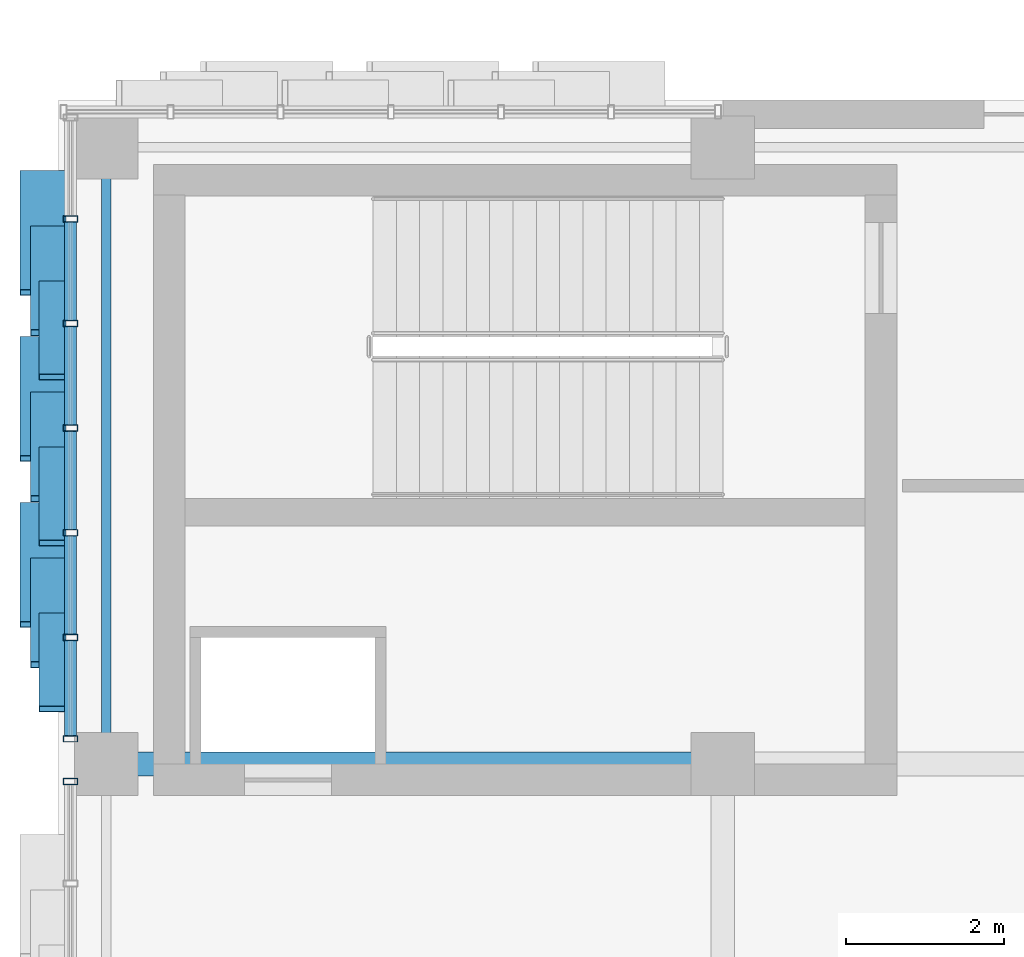
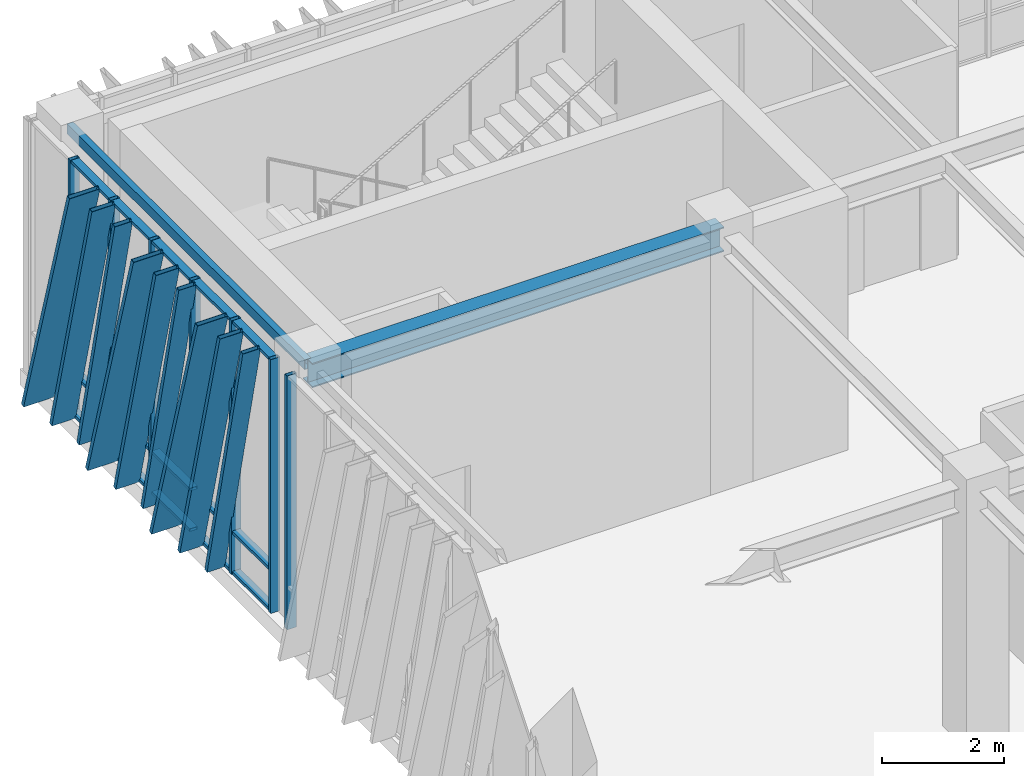
# One storey, part 41 of 122: 31 members, 2 beams, 2 elements without a shape of their own.
"""IFC4 building model written with IfcOpenShell, lengths in metres."""

from ifc_helpers import new_model, si_unit, direction, frame, origin, origin_2d, place, context, subcontext, project, spatial, hollow_rectangle, i_section, extrude, material, layer, layer_set, material_profile, profile_set, type_object, element, aggregate, save


model = new_model("IFC4")

# Units and contexts
model_context = context("Model", 3, precision=1e-05, world=origin(), true_north=direction((0.0, 1.0)))
body_context = subcontext(model_context, "Body", "Model", "MODEL_VIEW")
ifc_project = project(units=[si_unit("LENGTHUNIT", "METRE"), si_unit("AREAUNIT", "SQUARE_METRE"), si_unit("VOLUMEUNIT", "CUBIC_METRE"), si_unit("PLANEANGLEUNIT", "RADIAN"), si_unit("MASSUNIT", "GRAM", prefix="KILO")], contexts=[model_context])

# Site, building, storey
site_placement = place(None, origin())
site = spatial("IfcSite", under=ifc_project, at=site_placement, CompositionType="ELEMENT")
building_placement = place(site_placement, origin())
building = spatial("IfcBuilding", under=site, at=building_placement, Name="Zayran Congress Hotel", CompositionType="ELEMENT")
storey_placement = place(building_placement, origin())
storey = spatial("IfcBuildingStorey", under=building, at=storey_placement, Name="L00", CompositionType="ELEMENT", Elevation=0.0)

# Beams
ifc_material_1 = material(Name="Steel S355", Category="steel")
ifc_material_profile_1 = material_profile(ifc_material_1, i_section(OverallWidth=0.300048828125, OverallDepth=0.489990234375, WebThickness=0.011962890625, FlangeThickness=0.02294921875, at=origin_2d()), Name="HEA 500")
ifc_profile_set_1 = profile_set([ifc_material_profile_1], Name="Steel S355")
beam_type_1 = type_object("IfcBeamType", Name="TP-BM-05", PredefinedType="BEAM", material=ifc_profile_set_1)
beam_1_placement = place(storey_placement, frame((9.0, 109.60009765625, 4.8349609375), z_axis=(1.0, 0.0, 0.0), x_axis=(0.0, 1.0, 0.0)))
element("IfcBeam", 1, at=beam_1_placement, inside=storey, type_object=beam_type_1, Name="BM-V1-L00-0425", PredefinedType="BEAM", context=body_context, shape_type="SweptSolid", body=[
    extrude(i_section(OverallWidth=0.300048828125, OverallDepth=0.489990234375, WebThickness=0.011962890625, FlangeThickness=0.02294921875, at=origin_2d()), origin(), (0.0, 0.0, 1.0), 7.800048828125),
])
ifc_material_profile_2 = material_profile(ifc_material_1, hollow_rectangle(XDim=0.1201171875, YDim=0.199951171875, WallThickness=0.008056640625, at=origin_2d()), Name="RHS 200x120x8")
ifc_profile_set_2 = profile_set([ifc_material_profile_2], Name="Steel S355")
beam_type_2 = type_object("IfcBeamType", Name="TP-SP-02", PredefinedType="SPANDREL", material=ifc_profile_set_2)
beam_2_placement = place(storey_placement, frame((9.0, 109.60009765625, 4.97998046875), z_axis=(0.0, 1.0, 0.0), x_axis=(-1.0, 0.0, 0.0)))
element("IfcBeam", 2, at=beam_2_placement, inside=storey, type_object=beam_type_2, Name="BM-V1-L00-0450", PredefinedType="SPANDREL", context=body_context, shape_type="SweptSolid", body=[
    extrude(hollow_rectangle(XDim=0.1201171875, YDim=0.199951171875, WallThickness=0.008056640625, at=origin_2d()), origin(), (0.0, 0.0, 1.0), 7.7998046875),
])

# Curtain wall, member
ifc_material_2 = material(Name="Anodised aluminium and low-E insulated glass", Category="aluminium")
ifc_layer_1 = layer(ifc_material_2, 0.179931640625)
ifc_layer_set_1 = layer_set([ifc_layer_1], Name="Anodised aluminium and low-E insulated glass")
curtain_wall_type_1 = type_object("IfcCurtainWallType", Name="CW-V1W-L00-CW-31-7990-5080", PredefinedType="USERDEFINED", material=ifc_layer_set_1)
curtain_wall_1_placement = place(storey_placement, origin())
curtain_wall_1 = element("IfcCurtainWall", 3, at=curtain_wall_1_placement, inside=storey, type_object=curtain_wall_type_1, Name="CW-V1W-L00-4", ObjectType="CURTAIN WALL", PredefinedType="USERDEFINED")
ifc_material_3 = material(Name="Anodised aluminium framing", Category="aluminium")
ifc_material_profile_3 = material_profile(ifc_material_3, hollow_rectangle(XDim=0.080078125, YDim=0.179931640625, WallThickness=0.0048828125, at=origin_2d()), Name="RHS 180x80x5")
ifc_profile_set_3 = profile_set([ifc_material_profile_3], Name="Anodised aluminium framing")
member_type_1 = type_object("IfcMemberType", Name="TP-CWM-01", PredefinedType="MULLION", material=ifc_profile_set_3)
member_1_placement = place(storey_placement, frame((8.550048828125, 109.3798828125, 0.0), z_axis=(0.0, 0.0, 1.0), x_axis=(0.0, 1.0, 0.0)))
member_1 = element("IfcMember", 4, at=member_1_placement, type_object=member_type_1, Name="CW-V1W-L00-4-M00", PredefinedType="MULLION", context=body_context, shape_type="SweptSolid", body=[
    extrude(hollow_rectangle(XDim=0.080078125, YDim=0.179931640625, WallThickness=0.0048828125, at=origin_2d()), origin(), (0.0, 0.0, 1.0), 5.080078125),
])
aggregate(curtain_wall_1, [member_1])

# Curtain wall, members
ifc_layer_2 = layer(ifc_material_2, 0.179931640625)
ifc_layer_set_2 = layer_set([ifc_layer_2], Name="Anodised aluminium and low-E insulated glass")
curtain_wall_type_2 = type_object("IfcCurtainWallType", Name="CW-V1W-L00-CW-32-7940-5080", PredefinedType="USERDEFINED", material=ifc_layer_set_2)
curtain_wall_2_placement = place(storey_placement, origin())
curtain_wall_2 = element("IfcCurtainWall", 5, at=curtain_wall_2_placement, inside=storey, type_object=curtain_wall_type_2, Name="CW-V1W-L00-5", ObjectType="CURTAIN WALL", PredefinedType="USERDEFINED")
member_2_placement = place(storey_placement, frame((8.550048828125, 116.49658203125, 0.0), z_axis=(0.0, 0.0, 1.0), x_axis=(0.0, 1.0, 0.0)))
member_2 = element("IfcMember", 6, at=member_2_placement, type_object=member_type_1, Name="CW-V1W-L00-5-M01", PredefinedType="MULLION", context=body_context, shape_type="SweptSolid", body=[
    extrude(hollow_rectangle(XDim=0.080078125, YDim=0.179931640625, WallThickness=0.0048828125, at=origin_2d()), origin(), (0.0, 0.0, 1.0), 5.080078125),
])
member_3_placement = place(storey_placement, frame((8.550048828125, 115.17333984375, 0.0), z_axis=(0.0, 0.0, 1.0), x_axis=(0.0, 1.0, 0.0)))
member_3 = element("IfcMember", 7, at=member_3_placement, type_object=member_type_1, Name="CW-V1W-L00-5-M02", PredefinedType="MULLION", context=body_context, shape_type="SweptSolid", body=[
    extrude(hollow_rectangle(XDim=0.080078125, YDim=0.179931640625, WallThickness=0.0048828125, at=origin_2d()), origin(), (0.0, 0.0, 1.0), 5.080078125),
])
member_4_placement = place(storey_placement, frame((8.550048828125, 113.85009765625, 0.0), z_axis=(0.0, 0.0, 1.0), x_axis=(0.0, 1.0, 0.0)))
member_4 = element("IfcMember", 8, at=member_4_placement, type_object=member_type_1, Name="CW-V1W-L00-5-M03", PredefinedType="MULLION", context=body_context, shape_type="SweptSolid", body=[
    extrude(hollow_rectangle(XDim=0.080078125, YDim=0.179931640625, WallThickness=0.0048828125, at=origin_2d()), origin(), (0.0, 0.0, 1.0), 5.080078125),
])
member_5_placement = place(storey_placement, frame((8.550048828125, 112.526611328125, 0.0), z_axis=(0.0, 0.0, 1.0), x_axis=(0.0, 1.0, 0.0)))
member_5 = element("IfcMember", 9, at=member_5_placement, type_object=member_type_1, Name="CW-V1W-L00-5-M04", PredefinedType="MULLION", context=body_context, shape_type="SweptSolid", body=[
    extrude(hollow_rectangle(XDim=0.080078125, YDim=0.179931640625, WallThickness=0.0048828125, at=origin_2d()), origin(), (0.0, 0.0, 1.0), 5.080078125),
])
member_6_placement = place(storey_placement, frame((8.550048828125, 111.203369140625, 0.0), z_axis=(0.0, 0.0, 1.0), x_axis=(0.0, 1.0, 0.0)))
member_6 = element("IfcMember", 10, at=member_6_placement, type_object=member_type_1, Name="CW-V1W-L00-5-M05", PredefinedType="MULLION", context=body_context, shape_type="SweptSolid", body=[
    extrude(hollow_rectangle(XDim=0.080078125, YDim=0.179931640625, WallThickness=0.0048828125, at=origin_2d()), origin(), (0.0, 0.0, 1.0), 5.080078125),
])
member_7_placement = place(storey_placement, frame((8.550048828125, 109.919921875, 0.0), z_axis=(0.0, 0.0, 1.0), x_axis=(0.0, 1.0, 0.0)))
member_7 = element("IfcMember", 11, at=member_7_placement, type_object=member_type_1, Name="CW-V1W-L00-5-M06", PredefinedType="MULLION", context=body_context, shape_type="SweptSolid", body=[
    extrude(hollow_rectangle(XDim=0.080078125, YDim=0.179931640625, WallThickness=0.0048828125, at=origin_2d()), origin(), (0.0, 0.0, 1.0), 5.080078125),
])
ifc_material_profile_4 = material_profile(ifc_material_3, hollow_rectangle(XDim=0.06005859375, YDim=0.14990234375, WallThickness=0.00390625, at=origin_2d()), Name="RHS 150x60x4")
ifc_profile_set_4 = profile_set([ifc_material_profile_4], Name="Anodised aluminium framing")
member_type_2 = type_object("IfcMemberType", Name="TP-CWT-01", PredefinedType="USERDEFINED", material=ifc_profile_set_4)
member_8_placement = place(storey_placement, frame((8.550048828125, 116.456787109375, 0.030029296875), z_axis=(0.0, -1.0, 0.0), x_axis=(0.0, 0.0, 1.0)))
member_8 = element("IfcMember", 12, at=member_8_placement, type_object=member_type_2, Name="CW-V1W-L00-5-T01-0", ObjectType="TRANSOM", PredefinedType="USERDEFINED", context=body_context, shape_type="SweptSolid", body=[
    extrude(hollow_rectangle(XDim=0.06005859375, YDim=0.14990234375, WallThickness=0.00390625, at=origin_2d()), origin(), (0.0, 0.0, 1.0), 1.243408203125),
])
member_9_placement = place(storey_placement, frame((8.550048828125, 116.456787109375, 0.840087890625), z_axis=(0.0, -1.0, 0.0), x_axis=(0.0, 0.0, 1.0)))
member_9 = element("IfcMember", 13, at=member_9_placement, type_object=member_type_2, Name="CW-V1W-L00-5-T01-1", ObjectType="TRANSOM", PredefinedType="USERDEFINED", context=body_context, shape_type="SweptSolid", body=[
    extrude(hollow_rectangle(XDim=0.06005859375, YDim=0.14990234375, WallThickness=0.00390625, at=origin_2d()), origin(), (0.0, 0.0, 1.0), 1.243408203125),
])
member_10_placement = place(storey_placement, frame((8.550048828125, 116.456787109375, 5.050048828125), z_axis=(0.0, -1.0, 0.0), x_axis=(0.0, 0.0, 1.0)))
member_10 = element("IfcMember", 14, at=member_10_placement, type_object=member_type_2, Name="CW-V1W-L00-5-T01-2", ObjectType="TRANSOM", PredefinedType="USERDEFINED", context=body_context, shape_type="SweptSolid", body=[
    extrude(hollow_rectangle(XDim=0.06005859375, YDim=0.14990234375, WallThickness=0.00390625, at=origin_2d()), origin(), (0.0, 0.0, 1.0), 1.243408203125),
])
member_11_placement = place(storey_placement, frame((8.550048828125, 115.13330078125, 0.030029296875), z_axis=(0.0, -1.0, 0.0), x_axis=(0.0, 0.0, 1.0)))
member_11 = element("IfcMember", 15, at=member_11_placement, type_object=member_type_2, Name="CW-V1W-L00-5-T02-0", ObjectType="TRANSOM", PredefinedType="USERDEFINED", context=body_context, shape_type="SweptSolid", body=[
    extrude(hollow_rectangle(XDim=0.06005859375, YDim=0.14990234375, WallThickness=0.00390625, at=origin_2d()), origin(), (0.0, 0.0, 1.0), 1.243408203125),
])
member_12_placement = place(storey_placement, frame((8.550048828125, 115.13330078125, 0.840087890625), z_axis=(0.0, -1.0, 0.0), x_axis=(0.0, 0.0, 1.0)))
member_12 = element("IfcMember", 16, at=member_12_placement, type_object=member_type_2, Name="CW-V1W-L00-5-T02-1", ObjectType="TRANSOM", PredefinedType="USERDEFINED", context=body_context, shape_type="SweptSolid", body=[
    extrude(hollow_rectangle(XDim=0.06005859375, YDim=0.14990234375, WallThickness=0.00390625, at=origin_2d()), origin(), (0.0, 0.0, 1.0), 1.243408203125),
])
member_13_placement = place(storey_placement, frame((8.550048828125, 115.13330078125, 5.050048828125), z_axis=(0.0, -1.0, 0.0), x_axis=(0.0, 0.0, 1.0)))
member_13 = element("IfcMember", 17, at=member_13_placement, type_object=member_type_2, Name="CW-V1W-L00-5-T02-2", ObjectType="TRANSOM", PredefinedType="USERDEFINED", context=body_context, shape_type="SweptSolid", body=[
    extrude(hollow_rectangle(XDim=0.06005859375, YDim=0.14990234375, WallThickness=0.00390625, at=origin_2d()), origin(), (0.0, 0.0, 1.0), 1.243408203125),
])
member_14_placement = place(storey_placement, frame((8.550048828125, 113.81005859375, 0.030029296875), z_axis=(0.0, -1.0, 0.0), x_axis=(0.0, 0.0, 1.0)))
member_14 = element("IfcMember", 18, at=member_14_placement, type_object=member_type_2, Name="CW-V1W-L00-5-T03-0", ObjectType="TRANSOM", PredefinedType="USERDEFINED", context=body_context, shape_type="SweptSolid", body=[
    extrude(hollow_rectangle(XDim=0.06005859375, YDim=0.14990234375, WallThickness=0.00390625, at=origin_2d()), origin(), (0.0, 0.0, 1.0), 1.243408203125),
])
member_15_placement = place(storey_placement, frame((8.550048828125, 113.81005859375, 0.840087890625), z_axis=(0.0, -1.0, 0.0), x_axis=(0.0, 0.0, 1.0)))
member_15 = element("IfcMember", 19, at=member_15_placement, type_object=member_type_2, Name="CW-V1W-L00-5-T03-1", ObjectType="TRANSOM", PredefinedType="USERDEFINED", context=body_context, shape_type="SweptSolid", body=[
    extrude(hollow_rectangle(XDim=0.06005859375, YDim=0.14990234375, WallThickness=0.00390625, at=origin_2d()), origin(), (0.0, 0.0, 1.0), 1.243408203125),
])
member_16_placement = place(storey_placement, frame((8.550048828125, 113.81005859375, 5.050048828125), z_axis=(0.0, -1.0, 0.0), x_axis=(0.0, 0.0, 1.0)))
member_16 = element("IfcMember", 20, at=member_16_placement, type_object=member_type_2, Name="CW-V1W-L00-5-T03-2", ObjectType="TRANSOM", PredefinedType="USERDEFINED", context=body_context, shape_type="SweptSolid", body=[
    extrude(hollow_rectangle(XDim=0.06005859375, YDim=0.14990234375, WallThickness=0.00390625, at=origin_2d()), origin(), (0.0, 0.0, 1.0), 1.243408203125),
])
member_17_placement = place(storey_placement, frame((8.550048828125, 112.48681640625, 0.030029296875), z_axis=(0.0, -1.0, 0.0), x_axis=(0.0, 0.0, 1.0)))
member_17 = element("IfcMember", 21, at=member_17_placement, type_object=member_type_2, Name="CW-V1W-L00-5-T04-0", ObjectType="TRANSOM", PredefinedType="USERDEFINED", context=body_context, shape_type="SweptSolid", body=[
    extrude(hollow_rectangle(XDim=0.06005859375, YDim=0.14990234375, WallThickness=0.00390625, at=origin_2d()), origin(), (0.0, 0.0, 1.0), 1.243408203125),
])
member_18_placement = place(storey_placement, frame((8.550048828125, 112.48681640625, 0.840087890625), z_axis=(0.0, -1.0, 0.0), x_axis=(0.0, 0.0, 1.0)))
member_18 = element("IfcMember", 22, at=member_18_placement, type_object=member_type_2, Name="CW-V1W-L00-5-T04-1", ObjectType="TRANSOM", PredefinedType="USERDEFINED", context=body_context, shape_type="SweptSolid", body=[
    extrude(hollow_rectangle(XDim=0.06005859375, YDim=0.14990234375, WallThickness=0.00390625, at=origin_2d()), origin(), (0.0, 0.0, 1.0), 1.243408203125),
])
member_19_placement = place(storey_placement, frame((8.550048828125, 112.48681640625, 5.050048828125), z_axis=(0.0, -1.0, 0.0), x_axis=(0.0, 0.0, 1.0)))
member_19 = element("IfcMember", 23, at=member_19_placement, type_object=member_type_2, Name="CW-V1W-L00-5-T04-2", ObjectType="TRANSOM", PredefinedType="USERDEFINED", context=body_context, shape_type="SweptSolid", body=[
    extrude(hollow_rectangle(XDim=0.06005859375, YDim=0.14990234375, WallThickness=0.00390625, at=origin_2d()), origin(), (0.0, 0.0, 1.0), 1.243408203125),
])
member_20_placement = place(storey_placement, frame((8.550048828125, 111.163330078125, 0.030029296875), z_axis=(0.0, -1.0, 0.0), x_axis=(0.0, 0.0, 1.0)))
member_20 = element("IfcMember", 24, at=member_20_placement, type_object=member_type_2, Name="CW-V1W-L00-5-T05-0", ObjectType="TRANSOM", PredefinedType="USERDEFINED", context=body_context, shape_type="SweptSolid", body=[
    extrude(hollow_rectangle(XDim=0.06005859375, YDim=0.14990234375, WallThickness=0.00390625, at=origin_2d()), origin(), (0.0, 0.0, 1.0), 1.203369140625),
])
member_21_placement = place(storey_placement, frame((8.550048828125, 111.163330078125, 0.840087890625), z_axis=(0.0, -1.0, 0.0), x_axis=(0.0, 0.0, 1.0)))
member_21 = element("IfcMember", 25, at=member_21_placement, type_object=member_type_2, Name="CW-V1W-L00-5-T05-1", ObjectType="TRANSOM", PredefinedType="USERDEFINED", context=body_context, shape_type="SweptSolid", body=[
    extrude(hollow_rectangle(XDim=0.06005859375, YDim=0.14990234375, WallThickness=0.00390625, at=origin_2d()), origin(), (0.0, 0.0, 1.0), 1.203369140625),
])
member_22_placement = place(storey_placement, frame((8.550048828125, 111.163330078125, 5.050048828125), z_axis=(0.0, -1.0, 0.0), x_axis=(0.0, 0.0, 1.0)))
member_22 = element("IfcMember", 26, at=member_22_placement, type_object=member_type_2, Name="CW-V1W-L00-5-T05-2", ObjectType="TRANSOM", PredefinedType="USERDEFINED", context=body_context, shape_type="SweptSolid", body=[
    extrude(hollow_rectangle(XDim=0.06005859375, YDim=0.14990234375, WallThickness=0.00390625, at=origin_2d()), origin(), (0.0, 0.0, 1.0), 1.203369140625),
])
ifc_material_4 = material(Name="Warm bronze anodised aluminium", Category="aluminium")
ifc_material_profile_5 = material_profile(ifc_material_4, hollow_rectangle(XDim=0.080078125, YDim=0.580078125, WallThickness=0.006103515625, at=origin_2d()), Name="RHS 580x80x6")
ifc_profile_set_5 = profile_set([ifc_material_profile_5], Name="Warm bronze anodised aluminium")
member_type_3 = type_object("IfcMemberType", Name="TP-RFN-01", PredefinedType="MULLION", material=ifc_profile_set_5)
member_23_placement = place(storey_placement, frame((8.199951171875, 117.070068359375, 0.0), z_axis=(0.0, -0.284031848834, 0.958814845968), x_axis=(0.0, 0.958814845968, 0.284031848834)))
member_23 = element("IfcMember", 27, at=member_23_placement, type_object=member_type_3, Name="Slanting Reed Mullion CW-32-01", PredefinedType="MULLION", context=body_context, shape_type="SweptSolid", body=[
    extrude(hollow_rectangle(XDim=0.080078125, YDim=0.580078125, WallThickness=0.006103515625, at=origin_2d()), origin(), (0.0, 0.0, 1.0), 5.29833984375),
])
member_24_placement = place(storey_placement, frame((8.199951171875, 114.969970703125, 0.0), z_axis=(0.0, -0.284031848834, 0.958814845968), x_axis=(0.0, 0.958814845968, 0.284031848834)))
member_24 = element("IfcMember", 28, at=member_24_placement, type_object=member_type_3, Name="Slanting Reed Mullion CW-32-04", PredefinedType="MULLION", context=body_context, shape_type="SweptSolid", body=[
    extrude(hollow_rectangle(XDim=0.080078125, YDim=0.580078125, WallThickness=0.006103515625, at=origin_2d()), origin(), (0.0, 0.0, 1.0), 5.29833984375),
])
member_25_placement = place(storey_placement, frame((8.199951171875, 112.8701171875, 0.0), z_axis=(0.0, -0.284031848834, 0.958814845968), x_axis=(0.0, 0.958814845968, 0.284031848834)))
member_25 = element("IfcMember", 29, at=member_25_placement, type_object=member_type_3, Name="Slanting Reed Mullion CW-32-07", PredefinedType="MULLION", context=body_context, shape_type="SweptSolid", body=[
    extrude(hollow_rectangle(XDim=0.080078125, YDim=0.580078125, WallThickness=0.006103515625, at=origin_2d()), origin(), (0.0, 0.0, 1.0), 5.29833984375),
])
ifc_material_profile_6 = material_profile(ifc_material_4, hollow_rectangle(XDim=0.080078125, YDim=0.449951171875, WallThickness=0.006103515625, at=origin_2d()), Name="RHS 450x80x6")
ifc_profile_set_6 = profile_set([ifc_material_profile_6], Name="Warm bronze anodised aluminium")
member_type_4 = type_object("IfcMemberType", Name="TP-RFN-02", PredefinedType="MULLION", material=ifc_profile_set_6)
member_26_placement = place(storey_placement, frame((8.264892578125, 116.3701171875, 0.0), z_axis=(0.0, -0.25040989041, 0.968139910749), x_axis=(0.0, 0.968139910749, 0.25040989041)))
member_26 = element("IfcMember", 30, at=member_26_placement, type_object=member_type_4, Name="Slanting Reed Mullion CW-32-02", PredefinedType="MULLION", context=body_context, shape_type="SweptSolid", body=[
    extrude(hollow_rectangle(XDim=0.080078125, YDim=0.449951171875, WallThickness=0.006103515625, at=origin_2d()), origin(), (0.0, 0.0, 1.0), 5.247314453125),
])
member_27_placement = place(storey_placement, frame((8.264892578125, 114.27001953125, 0.0), z_axis=(0.0, -0.250366279854, 0.968151189594), x_axis=(0.0, 0.968151189594, 0.250366279854)))
member_27 = element("IfcMember", 31, at=member_27_placement, type_object=member_type_4, Name="Slanting Reed Mullion CW-32-05", PredefinedType="MULLION", context=body_context, shape_type="SweptSolid", body=[
    extrude(hollow_rectangle(XDim=0.080078125, YDim=0.449951171875, WallThickness=0.006103515625, at=origin_2d()), origin(), (0.0, 0.0, 1.0), 5.247314453125),
])
member_28_placement = place(storey_placement, frame((8.264892578125, 112.169921875, 0.0), z_axis=(0.0, -0.250366279854, 0.968151189594), x_axis=(0.0, 0.968151189594, 0.250366279854)))
member_28 = element("IfcMember", 32, at=member_28_placement, type_object=member_type_4, Name="Slanting Reed Mullion CW-32-08", PredefinedType="MULLION", context=body_context, shape_type="SweptSolid", body=[
    extrude(hollow_rectangle(XDim=0.080078125, YDim=0.449951171875, WallThickness=0.006103515625, at=origin_2d()), origin(), (0.0, 0.0, 1.0), 5.247314453125),
])
ifc_material_profile_7 = material_profile(ifc_material_4, hollow_rectangle(XDim=0.080078125, YDim=0.340087890625, WallThickness=0.006103515625, at=origin_2d()), Name="RHS 340x80x6")
ifc_profile_set_7 = profile_set([ifc_material_profile_7], Name="Warm bronze anodised aluminium")
member_type_5 = type_object("IfcMemberType", Name="TP-RFN-03", PredefinedType="MULLION", material=ifc_profile_set_7)
member_29_placement = place(storey_placement, frame((8.320068359375, 115.669921875, 0.0), z_axis=(0.0, -0.224910805794, 0.97437935602), x_axis=(0.0, 0.97437935602, 0.224910805794)))
member_29 = element("IfcMember", 33, at=member_29_placement, type_object=member_type_5, Name="Slanting Reed Mullion CW-32-03", PredefinedType="MULLION", context=body_context, shape_type="SweptSolid", body=[
    extrude(hollow_rectangle(XDim=0.080078125, YDim=0.340087890625, WallThickness=0.006103515625, at=origin_2d()), origin(), (0.0, 0.0, 1.0), 5.213623046875),
])
member_30_placement = place(storey_placement, frame((8.320068359375, 113.570068359375, 0.0), z_axis=(0.0, -0.224955263497, 0.974369093016), x_axis=(0.0, 0.974369093016, 0.224955263497)))
member_30 = element("IfcMember", 34, at=member_30_placement, type_object=member_type_5, Name="Slanting Reed Mullion CW-32-06", PredefinedType="MULLION", context=body_context, shape_type="SweptSolid", body=[
    extrude(hollow_rectangle(XDim=0.080078125, YDim=0.340087890625, WallThickness=0.006103515625, at=origin_2d()), origin(), (0.0, 0.0, 1.0), 5.213623046875),
])
member_31_placement = place(storey_placement, frame((8.320068359375, 111.469970703125, 0.0), z_axis=(0.0, -0.224955263497, 0.974369093016), x_axis=(0.0, 0.974369093016, 0.224955263497)))
member_31 = element("IfcMember", 35, at=member_31_placement, type_object=member_type_5, Name="Slanting Reed Mullion CW-32-09", PredefinedType="MULLION", context=body_context, shape_type="SweptSolid", body=[
    extrude(hollow_rectangle(XDim=0.080078125, YDim=0.340087890625, WallThickness=0.006103515625, at=origin_2d()), origin(), (0.0, 0.0, 1.0), 5.213623046875),
])
aggregate(curtain_wall_2, [member_2, member_3, member_4, member_5, member_6, member_7, member_8, member_9, member_10, member_11, member_12, member_13, member_14, member_15, member_16, member_17, member_18, member_19, member_20, member_21, member_22, member_23, member_26, member_29, member_24, member_27, member_30, member_25, member_28, member_31])

save(model, "model.ifc")
